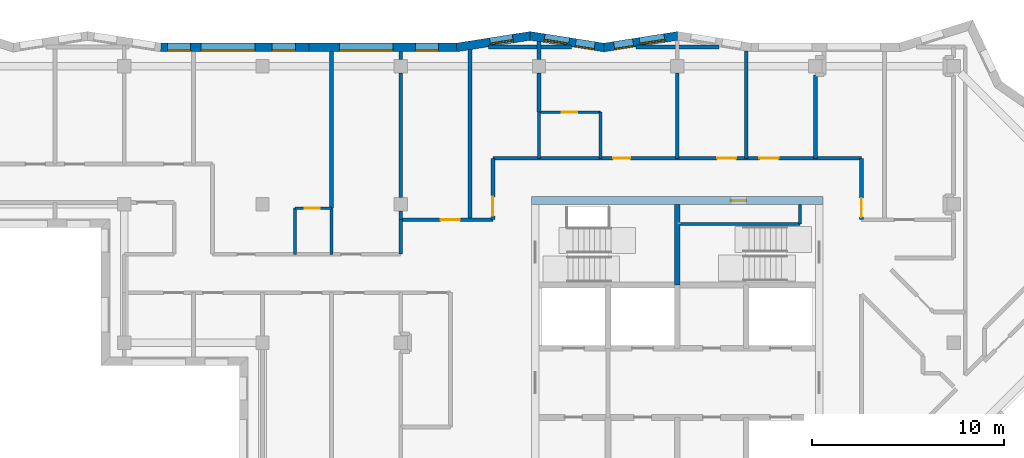
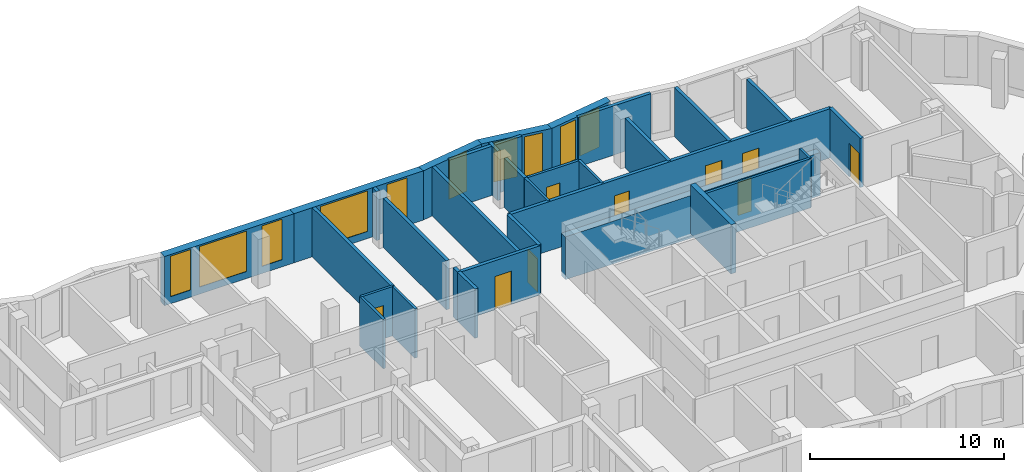
# One storey, part 6 of 12: 32 walls, 10 windows, 9 doors, 19 openings.
"""IFC4 building model written with IfcOpenShell, lengths in metres."""

from ifc_helpers import new_model, si_unit, direction, frame, frame_2d, origin, place, context, subcontext, project, spatial, polyline, rectangle, outline, extrude, material, layer, layer_set, type_object, element, fill, save


model = new_model("IFC4")

# Units and contexts
model_context = context("Model", 3, precision=1e-05, world=origin(), true_north=direction((0.0, 1.0)))
body_context = subcontext(model_context, "Body", "Model", "MODEL_VIEW")
ifc_project = project(units=[si_unit("LENGTHUNIT", "METRE"), si_unit("AREAUNIT", "SQUARE_METRE"), si_unit("VOLUMEUNIT", "CUBIC_METRE"), si_unit("PLANEANGLEUNIT", "RADIAN"), si_unit("MASSUNIT", "GRAM", prefix="KILO")], contexts=[model_context])

# Site, building, storey
site_placement = place(None, origin())
site = spatial("IfcSite", under=ifc_project, at=site_placement, CompositionType="ELEMENT")
building_placement = place(site_placement, origin())
building = spatial("IfcBuilding", under=site, at=building_placement, Name="Windrow Commons", CompositionType="ELEMENT")
storey_placement = place(building_placement, frame((0.0, 0.0, 277.8)))
storey = spatial("IfcBuildingStorey", under=building, at=storey_placement, Name="L76", CompositionType="ELEMENT", Elevation=277.8)

# Wall, openings, windows
ifc_material_1 = material(Name="Brick masonry, red clay brick", Category="masonry")
ifc_layer_1 = layer(ifc_material_1, 0.45)
ifc_layer_set_1 = layer_set([ifc_layer_1], Name="Brick facade wall 450")
wall_type_1 = type_object("IfcWallType", Name="Brick facade wall 450", PredefinedType="SOLIDWALL", material=ifc_layer_set_1)
wall_1_placement = place(storey_placement, frame((64.8244, 73.5752, 0.0), z_axis=(0.0, 0.0, 1.0), x_axis=(-0.9879107269, -0.1550238552, 0.0)))
wall_1 = element("IfcWall", 1, at=wall_1_placement, inside=storey, type_object=wall_type_1, Name="Brick facade wall L76 17", PredefinedType="SOLIDWALL", context=body_context, shape_type="SweptSolid", body=[
    extrude(outline(polyline([(-0.0353, -0.225), (3.8545, -0.225), (3.9251, 0.225), (0.0353, 0.225), (-0.0353, -0.225)])), origin(), (0.0, 0.0, 1.0), 3.1),
])
opening_1_placement = place(wall_1_placement, frame((0.695, 0.0, 0.45)))
opening_1 = element("IfcOpeningElement", 2, at=opening_1_placement, cuts=wall_1, Name="Opening W1Q", PredefinedType="OPENING", context=body_context, shape_type="SweptSolid", body=[
    extrude(rectangle(XDim=1.3, YDim=2.5, at=frame_2d((0.65, 1.25))), frame((0.0, 0.235, 0.0), z_axis=(0.0, -1.0, 0.0), x_axis=(1.0, 0.0, 0.0)), (0.0, 0.0, 1.0), 0.47),
])
opening_2_placement = place(wall_1_placement, frame((2.345, 0.0, 0.45)))
opening_2 = element("IfcOpeningElement", 3, at=opening_2_placement, cuts=wall_1, Name="Opening W1S", PredefinedType="OPENING", context=body_context, shape_type="SweptSolid", body=[
    extrude(rectangle(XDim=1.0, YDim=2.5, at=frame_2d((0.5, 1.25))), frame((0.0, 0.235, 0.0), z_axis=(0.0, -1.0, 0.0), x_axis=(1.0, 0.0, 0.0)), (0.0, 0.0, 1.0), 0.47),
])
ifc_material_2 = material(Name="Clear float glass in anodised aluminium frame", Category="aluminium")
window_type_1 = type_object("IfcWindowType", Name="Window W1Q pair 1300x2500", PartitioningType="SINGLE_PANEL", PredefinedType="WINDOW", material=ifc_material_2)
window_1_placement = place(opening_1_placement, origin())
window_1 = element("IfcWindow", 4, at=window_1_placement, inside=storey, type_object=window_type_1, Name="Window L76 17.1A", OverallHeight=2.5, OverallWidth=1.3, PartitioningType="SINGLE_PANEL", PredefinedType="WINDOW", context=body_context, shape_type="SweptSolid", body=[
    extrude(rectangle(XDim=1.3, YDim=2.5, at=frame_2d((0.65, 1.25))), frame((0.0, 0.135, 0.0), z_axis=(0.0, -1.0, 0.0), x_axis=(1.0, 0.0, 0.0)), (0.0, 0.0, 1.0), 0.06),
])
fill(opening_1, window_1)
ifc_material_3 = material(Name="Clear float glass in anodised aluminium frame", Category="aluminium")
window_type_2 = type_object("IfcWindowType", Name="Window W1S slit 1000x2500", PartitioningType="SINGLE_PANEL", PredefinedType="WINDOW", material=ifc_material_3)
window_2_placement = place(opening_2_placement, origin())
window_2 = element("IfcWindow", 5, at=window_2_placement, inside=storey, type_object=window_type_2, Name="Window L76 17.1B", OverallHeight=2.5, OverallWidth=1.0, PartitioningType="SINGLE_PANEL", PredefinedType="WINDOW", context=body_context, shape_type="SweptSolid", body=[
    extrude(rectangle(XDim=1.0, YDim=2.5, at=frame_2d((0.5, 1.25))), frame((0.0, 0.205, 0.0), z_axis=(0.0, -1.0, 0.0), x_axis=(1.0, 0.0, 0.0)), (0.0, 0.0, 1.0), 0.06),
])
fill(opening_2, window_2)

wall_2_placement = place(storey_placement, frame((60.9817, 72.9722, 0.0), z_axis=(0.0, 0.0, 1.0), x_axis=(-0.9879113447, 0.155019918, 0.0)))
wall_2 = element("IfcWall", 6, at=wall_2_placement, inside=storey, type_object=wall_type_1, Name="Brick facade wall L76 18", PredefinedType="SOLIDWALL", context=body_context, shape_type="SweptSolid", body=[
    extrude(outline(polyline([(0.0353, -0.225), (3.9251, -0.225), (3.8545, 0.225), (-0.0353, 0.225), (0.0353, -0.225)])), origin(), (0.0, 0.0, 1.0), 3.1),
])
opening_3_placement = place(wall_2_placement, frame((0.4869, 0.0, 0.45)))
opening_3 = element("IfcOpeningElement", 7, at=opening_3_placement, cuts=wall_2, Name="Opening W1S", PredefinedType="OPENING", context=body_context, shape_type="SweptSolid", body=[
    extrude(rectangle(XDim=1.0, YDim=2.5, at=frame_2d((0.5, 1.25))), frame((0.0, 0.235, 0.0), z_axis=(0.0, -1.0, 0.0), x_axis=(1.0, 0.0, 0.0)), (0.0, 0.0, 1.0), 0.47),
])
opening_4_placement = place(wall_2_placement, frame((1.8369, 0.0, 0.45)))
opening_4 = element("IfcOpeningElement", 8, at=opening_4_placement, cuts=wall_2, Name="Opening W1Q", PredefinedType="OPENING", context=body_context, shape_type="SweptSolid", body=[
    extrude(rectangle(XDim=1.3, YDim=2.5, at=frame_2d((0.65, 1.25))), frame((0.0, 0.235, 0.0), z_axis=(0.0, -1.0, 0.0), x_axis=(1.0, 0.0, 0.0)), (0.0, 0.0, 1.0), 0.47),
])
window_3_placement = place(opening_4_placement, origin())
window_3 = element("IfcWindow", 9, at=window_3_placement, inside=storey, type_object=window_type_1, Name="Window L76 18.1B", OverallHeight=2.5, OverallWidth=1.3, PartitioningType="SINGLE_PANEL", PredefinedType="WINDOW", context=body_context, shape_type="SweptSolid", body=[
    extrude(rectangle(XDim=1.3, YDim=2.5, at=frame_2d((0.65, 1.25))), frame((0.0, 0.125, 0.0), z_axis=(0.0, -1.0, 0.0), x_axis=(1.0, 0.0, 0.0)), (0.0, 0.0, 1.0), 0.06),
])
fill(opening_4, window_3)
window_4_placement = place(opening_3_placement, origin())
window_4 = element("IfcWindow", 10, at=window_4_placement, inside=storey, type_object=window_type_2, Name="Window L76 18.1A", OverallHeight=2.5, OverallWidth=1.0, PartitioningType="SINGLE_PANEL", PredefinedType="WINDOW", context=body_context, shape_type="SweptSolid", body=[
    extrude(rectangle(XDim=1.0, YDim=2.5, at=frame_2d((0.5, 1.25))), frame((0.0, 0.205, 0.0), z_axis=(0.0, -1.0, 0.0), x_axis=(1.0, 0.0, 0.0)), (0.0, 0.0, 1.0), 0.06),
])
fill(opening_3, window_4)

# Wall, opening, window
wall_3_placement = place(storey_placement, frame((57.1389, 73.5752, 0.0), z_axis=(0.0, 0.0, 1.0), x_axis=(-0.9879128581, -0.1550102733, 0.0)))
wall_3 = element("IfcWall", 11, at=wall_3_placement, inside=storey, type_object=wall_type_1, Name="Brick facade wall L76 19", PredefinedType="SOLIDWALL", context=body_context, shape_type="SweptSolid", body=[
    extrude(outline(polyline([(-0.0353, -0.225), (3.8545, -0.225), (3.8896, 0.225), (0.0353, 0.225), (-0.0353, -0.225)])), origin(), (0.0, 0.0, 1.0), 3.1),
])
opening_5_placement = place(wall_3_placement, frame((0.9063, 0.0, 0.45)))
opening_5 = element("IfcOpeningElement", 12, at=opening_5_placement, cuts=wall_3, Name="Opening W7F", PredefinedType="OPENING", context=body_context, shape_type="SweptSolid", body=[
    extrude(rectangle(XDim=1.2, YDim=2.55, at=frame_2d((0.6, 1.275))), frame((0.0, 0.235, 0.0), z_axis=(0.0, -1.0, 0.0), x_axis=(1.0, 0.0, 0.0)), (0.0, 0.0, 1.0), 0.47),
])
ifc_material_4 = material(Name="Clear float glass in anodised aluminium frame", Category="aluminium")
window_type_3 = type_object("IfcWindowType", Name="Window W7 notch 1200x2550", PartitioningType="SINGLE_PANEL", PredefinedType="WINDOW", material=ifc_material_4)
window_5_placement = place(opening_5_placement, origin())
window_5 = element("IfcWindow", 13, at=window_5_placement, inside=storey, type_object=window_type_3, Name="Window L76 19.1", OverallHeight=2.55, OverallWidth=1.2, PartitioningType="SINGLE_PANEL", PredefinedType="WINDOW", context=body_context, shape_type="SweptSolid", body=[
    extrude(rectangle(XDim=1.2, YDim=2.55, at=frame_2d((0.6, 1.275))), frame((0.0, 0.115, 0.0), z_axis=(0.0, -1.0, 0.0), x_axis=(1.0, 0.0, 0.0)), (0.0, 0.0, 1.0), 0.06),
])
fill(opening_5, window_5)

# Wall, openings, windows
wall_4_placement = place(storey_placement, frame((53.3137, 72.975, 0.0), z_axis=(0.0, 0.0, 1.0), x_axis=(-1.0, 0.0, 0.0)))
wall_4 = element("IfcWall", 14, at=wall_4_placement, inside=storey, type_object=wall_type_1, Name="Brick facade wall L76 20", PredefinedType="SOLIDWALL", context=body_context, shape_type="SweptSolid", body=[
    extrude(outline(polyline([(0.0175, -0.225), (7.703, -0.225), (7.703, 0.225), (-0.0175, 0.225), (0.0175, -0.225)])), origin(), (0.0, 0.0, 1.0), 3.1),
])
opening_6_placement = place(wall_4_placement, frame((3.3137, 0.0, 0.45)))
opening_6 = element("IfcOpeningElement", 15, at=opening_6_placement, cuts=wall_4, Name="Opening W1V", PredefinedType="OPENING", context=body_context, shape_type="SweptSolid", body=[
    extrude(rectangle(XDim=2.8, YDim=2.55, at=frame_2d((1.4, 1.275))), frame((0.0, 0.235, 0.0), z_axis=(0.0, -1.0, 0.0), x_axis=(1.0, 0.0, 0.0)), (0.0, 0.0, 1.0), 0.47),
])
opening_7_placement = place(wall_4_placement, frame((0.9569, 0.0, 0.45)))
opening_7 = element("IfcOpeningElement", 16, at=opening_7_placement, cuts=wall_4, Name="Opening W7F", PredefinedType="OPENING", context=body_context, shape_type="SweptSolid", body=[
    extrude(rectangle(XDim=1.2, YDim=2.55, at=frame_2d((0.6, 1.275))), frame((0.0, 0.235, 0.0), z_axis=(0.0, -1.0, 0.0), x_axis=(1.0, 0.0, 0.0)), (0.0, 0.0, 1.0), 0.47),
])
ifc_material_5 = material(Name="Clear float glass in anodised aluminium frame", Category="aluminium")
window_type_4 = type_object("IfcWindowType", Name="Window W1V bedroom 2800x2550", PartitioningType="SINGLE_PANEL", PredefinedType="WINDOW", material=ifc_material_5)
window_6_placement = place(opening_6_placement, origin())
window_6 = element("IfcWindow", 17, at=window_6_placement, inside=storey, type_object=window_type_4, Name="Window L76 20.1", OverallHeight=2.55, OverallWidth=2.8, PartitioningType="SINGLE_PANEL", PredefinedType="WINDOW", context=body_context, shape_type="SweptSolid", body=[
    extrude(rectangle(XDim=2.8, YDim=2.55, at=frame_2d((1.4, 1.275))), frame((0.0, 0.205, 0.0), z_axis=(0.0, -1.0, 0.0), x_axis=(1.0, 0.0, 0.0)), (0.0, 0.0, 1.0), 0.06),
])
fill(opening_6, window_6)
window_7_placement = place(opening_7_placement, origin())
window_7 = element("IfcWindow", 18, at=window_7_placement, inside=storey, type_object=window_type_3, Name="Window L76 20.2", OverallHeight=2.55, OverallWidth=1.2, PartitioningType="SINGLE_PANEL", PredefinedType="WINDOW", context=body_context, shape_type="SweptSolid", body=[
    extrude(rectangle(XDim=1.2, YDim=2.55, at=frame_2d((0.6, 1.275))), frame((0.0, 0.205, 0.0), z_axis=(0.0, -1.0, 0.0), x_axis=(1.0, 0.0, 0.0)), (0.0, 0.0, 1.0), 0.06),
])
fill(opening_7, window_7)

wall_5_placement = place(storey_placement, frame((45.6107, 72.975, 0.0), z_axis=(0.0, 0.0, 1.0), x_axis=(-1.0, 0.0, 0.0)))
wall_5 = element("IfcWall", 19, at=wall_5_placement, inside=storey, type_object=wall_type_1, Name="Brick facade wall L76 21", PredefinedType="SOLIDWALL", context=body_context, shape_type="SweptSolid", body=[
    extrude(outline(polyline([(0.0, -0.225), (7.6855, -0.225), (7.7206, 0.225), (0.0, 0.225), (0.0, -0.225)])), origin(), (0.0, 0.0, 1.0), 3.1),
])
opening_8_placement = place(wall_5_placement, frame((2.8107, 0.0, 0.45)))
opening_8 = element("IfcOpeningElement", 20, at=opening_8_placement, cuts=wall_5, Name="Opening W1V", PredefinedType="OPENING", context=body_context, shape_type="SweptSolid", body=[
    extrude(rectangle(XDim=2.8, YDim=2.55, at=frame_2d((1.4, 1.275))), frame((0.0, 0.235, 0.0), z_axis=(0.0, -1.0, 0.0), x_axis=(1.0, 0.0, 0.0)), (0.0, 0.0, 1.0), 0.47),
])
opening_9_placement = place(wall_5_placement, frame((0.7054, 0.0, 0.45)))
opening_9 = element("IfcOpeningElement", 21, at=opening_9_placement, cuts=wall_5, Name="Opening W7F", PredefinedType="OPENING", context=body_context, shape_type="SweptSolid", body=[
    extrude(rectangle(XDim=1.2, YDim=2.55, at=frame_2d((0.6, 1.275))), frame((0.0, 0.235, 0.0), z_axis=(0.0, -1.0, 0.0), x_axis=(1.0, 0.0, 0.0)), (0.0, 0.0, 1.0), 0.47),
])
opening_10_placement = place(wall_5_placement, frame((6.1569, 0.0, 0.45)))
opening_10 = element("IfcOpeningElement", 22, at=opening_10_placement, cuts=wall_5, Name="Opening W7F", PredefinedType="OPENING", context=body_context, shape_type="SweptSolid", body=[
    extrude(rectangle(XDim=1.2, YDim=2.55, at=frame_2d((0.6, 1.275))), frame((0.0, 0.235, 0.0), z_axis=(0.0, -1.0, 0.0), x_axis=(1.0, 0.0, 0.0)), (0.0, 0.0, 1.0), 0.47),
])
window_8_placement = place(opening_8_placement, origin())
window_8 = element("IfcWindow", 23, at=window_8_placement, inside=storey, type_object=window_type_4, Name="Window L76 21.1", OverallHeight=2.55, OverallWidth=2.8, PartitioningType="SINGLE_PANEL", PredefinedType="WINDOW", context=body_context, shape_type="SweptSolid", body=[
    extrude(rectangle(XDim=2.8, YDim=2.55, at=frame_2d((1.4, 1.275))), frame((0.0, 0.205, 0.0), z_axis=(0.0, -1.0, 0.0), x_axis=(1.0, 0.0, 0.0)), (0.0, 0.0, 1.0), 0.06),
])
fill(opening_8, window_8)
window_9_placement = place(opening_9_placement, origin())
window_9 = element("IfcWindow", 24, at=window_9_placement, inside=storey, type_object=window_type_3, Name="Window L76 21.2", OverallHeight=2.55, OverallWidth=1.2, PartitioningType="SINGLE_PANEL", PredefinedType="WINDOW", context=body_context, shape_type="SweptSolid", body=[
    extrude(rectangle(XDim=1.2, YDim=2.55, at=frame_2d((0.6, 1.275))), frame((0.0, 0.205, 0.0), z_axis=(0.0, -1.0, 0.0), x_axis=(1.0, 0.0, 0.0)), (0.0, 0.0, 1.0), 0.06),
])
fill(opening_9, window_9)
window_10_placement = place(opening_10_placement, origin())
window_10 = element("IfcWindow", 25, at=window_10_placement, inside=storey, type_object=window_type_3, Name="Window L76 21.3", OverallHeight=2.55, OverallWidth=1.2, PartitioningType="SINGLE_PANEL", PredefinedType="WINDOW", context=body_context, shape_type="SweptSolid", body=[
    extrude(rectangle(XDim=1.2, YDim=2.55, at=frame_2d((0.6, 1.275))), frame((0.0, 0.205, 0.0), z_axis=(0.0, -1.0, 0.0), x_axis=(1.0, 0.0, 0.0)), (0.0, 0.0, 1.0), 0.06),
])
fill(opening_10, window_10)

# Wall, openings, doors
ifc_material_6 = material(Name="Blockwork partition", Category="masonry")
ifc_layer_2 = layer(ifc_material_6, 0.2)
ifc_layer_set_2 = layer_set([ifc_layer_2], Name="IW-CORRIDOR-200")
wall_type_2 = type_object("IfcWallType", Name="IW-CORRIDOR-200", PredefinedType="PARTITIONING", material=ifc_layer_set_2)
wall_6_placement = place(storey_placement, frame((55.2, 67.2, 0.0), z_axis=(0.0, 0.0, 1.0), x_axis=(1.0, 0.0, 0.0)))
wall_6 = element("IfcWall", 26, at=wall_6_placement, inside=storey, type_object=wall_type_2, Name="W-L76-W000", PredefinedType="PARTITIONING", context=body_context, shape_type="SweptSolid", body=[
    extrude(rectangle(XDim=19.2, YDim=0.2, at=frame_2d((9.6, 0.0))), origin(), (0.0, 0.0, 1.0), 3.1),
])
opening_11_placement = place(wall_6_placement, frame((6.2607, 0.0, 0.0)))
opening_11 = element("IfcOpeningElement", 27, at=opening_11_placement, cuts=wall_6, Name="Opening D109F", PredefinedType="OPENING", context=body_context, shape_type="SweptSolid", body=[
    extrude(rectangle(XDim=0.9, YDim=2.1, at=frame_2d((0.45, 1.05))), frame((0.0, 0.11, 0.0), z_axis=(0.0, -1.0, 0.0), x_axis=(1.0, 0.0, 0.0)), (0.0, 0.0, 1.0), 0.22),
])
opening_12_placement = place(wall_6_placement, frame((11.675, 0.0, 0.0)))
opening_12 = element("IfcOpeningElement", 28, at=opening_12_placement, cuts=wall_6, Name="Opening D310F", PredefinedType="OPENING", context=body_context, shape_type="SweptSolid", body=[
    extrude(rectangle(XDim=1.0, YDim=2.1, at=frame_2d((0.5, 1.05))), frame((0.0, 0.11, 0.0), z_axis=(0.0, -1.0, 0.0), x_axis=(1.0, 0.0, 0.0)), (0.0, 0.0, 1.0), 0.22),
])
opening_13_placement = place(wall_6_placement, frame((13.88, 0.0, 0.0)))
opening_13 = element("IfcOpeningElement", 29, at=opening_13_placement, cuts=wall_6, Name="Opening D310F", PredefinedType="OPENING", context=body_context, shape_type="SweptSolid", body=[
    extrude(rectangle(XDim=1.0, YDim=2.1, at=frame_2d((0.5, 1.05))), frame((0.0, 0.11, 0.0), z_axis=(0.0, -1.0, 0.0), x_axis=(1.0, 0.0, 0.0)), (0.0, 0.0, 1.0), 0.22),
])
ifc_material_7 = material(Name="Timber door leaf", Category="wood")
door_type_1 = type_object("IfcDoorType", Name="DT-AMENITY-1000", OperationType="SINGLE_SWING_LEFT", PredefinedType="DOOR", material=ifc_material_7)
door_1_placement = place(opening_12_placement, origin())
door_1 = element("IfcDoor", 30, at=door_1_placement, inside=storey, type_object=door_type_1, Name="D-L76-D011", OperationType="SINGLE_SWING_RIGHT", OverallHeight=2.1, OverallWidth=1.0, PredefinedType="DOOR", context=body_context, shape_type="SweptSolid", body=[
    extrude(rectangle(XDim=1.0, YDim=2.1, at=frame_2d((0.5, 1.05))), frame((0.0, 0.025, 0.0), z_axis=(0.0, -1.0, 0.0), x_axis=(1.0, 0.0, 0.0)), (0.0, 0.0, 1.0), 0.05),
])
fill(opening_12, door_1)
door_2_placement = place(opening_13_placement, origin())
door_2 = element("IfcDoor", 31, at=door_2_placement, inside=storey, type_object=door_type_1, Name="D-L76-D012", OperationType="SINGLE_SWING_LEFT", OverallHeight=2.1, OverallWidth=1.0, PredefinedType="DOOR", context=body_context, shape_type="SweptSolid", body=[
    extrude(rectangle(XDim=1.0, YDim=2.1, at=frame_2d((0.5, 1.05))), frame((0.0, 0.025, 0.0), z_axis=(0.0, -1.0, 0.0), x_axis=(1.0, 0.0, 0.0)), (0.0, 0.0, 1.0), 0.05),
])
fill(opening_13, door_2)
ifc_material_8 = material(Name="Timber door leaf", Category="wood")
door_type_2 = type_object("IfcDoorType", Name="DT-BEDROOM-900", OperationType="SINGLE_SWING_LEFT", PredefinedType="DOOR", material=ifc_material_8)
door_3_placement = place(opening_11_placement, origin())
door_3 = element("IfcDoor", 32, at=door_3_placement, inside=storey, type_object=door_type_2, Name="D-L76-D009", OperationType="SINGLE_SWING_RIGHT", OverallHeight=2.1, OverallWidth=0.9, PredefinedType="DOOR", context=body_context, shape_type="SweptSolid", body=[
    extrude(rectangle(XDim=0.9, YDim=2.1, at=frame_2d((0.45, 1.05))), frame((0.0, 0.025, 0.0), z_axis=(0.0, -1.0, 0.0), x_axis=(1.0, 0.0, 0.0)), (0.0, 0.0, 1.0), 0.05),
])
fill(opening_11, door_3)

# Wall, opening, door
wall_7_placement = place(storey_placement, frame((50.4, 64.0, 0.0), z_axis=(0.0, 0.0, 1.0), x_axis=(1.0, 0.0, 0.0)))
wall_7 = element("IfcWall", 33, at=wall_7_placement, inside=storey, type_object=wall_type_2, Name="W-L76-W032", PredefinedType="PARTITIONING", context=body_context, shape_type="SweptSolid", body=[
    extrude(rectangle(XDim=4.8, YDim=0.2, at=frame_2d((2.4, 0.0))), origin(), (0.0, 0.0, 1.0), 3.1),
])
opening_14_placement = place(wall_7_placement, frame((2.075, 0.0, 0.0)))
opening_14 = element("IfcOpeningElement", 34, at=opening_14_placement, cuts=wall_7, Name="Opening D310F", PredefinedType="OPENING", context=body_context, shape_type="SweptSolid", body=[
    extrude(rectangle(XDim=1.0, YDim=2.1, at=frame_2d((0.5, 1.05))), frame((0.0, 0.11, 0.0), z_axis=(0.0, -1.0, 0.0), x_axis=(1.0, 0.0, 0.0)), (0.0, 0.0, 1.0), 0.22),
])
door_4_placement = place(opening_14_placement, origin())
door_4 = element("IfcDoor", 35, at=door_4_placement, inside=storey, type_object=door_type_1, Name="D-L76-D003", OperationType="SINGLE_SWING_RIGHT", OverallHeight=2.1, OverallWidth=1.0, PredefinedType="DOOR", context=body_context, shape_type="SweptSolid", body=[
    extrude(rectangle(XDim=1.0, YDim=2.1, at=frame_2d((0.5, 1.05))), frame((0.0, 0.025, 0.0), z_axis=(0.0, -1.0, 0.0), x_axis=(1.0, 0.0, 0.0)), (0.0, 0.0, 1.0), 0.05),
])
fill(opening_14, door_4)

wall_8_placement = place(storey_placement, frame((55.2, 64.002, 0.0), z_axis=(0.0, 0.0, 1.0), x_axis=(0.0, 1.0, 0.0)))
wall_8 = element("IfcWall", 36, at=wall_8_placement, inside=storey, type_object=wall_type_2, Name="W-L76-W056", PredefinedType="PARTITIONING", context=body_context, shape_type="SweptSolid", body=[
    extrude(rectangle(XDim=3.198, YDim=0.2, at=frame_2d((1.599, 0.0))), origin(), (0.0, 0.0, 1.0), 3.1),
])
opening_15_placement = place(wall_8_placement, frame((0.1937, 0.0, 0.0)))
opening_15 = element("IfcOpeningElement", 37, at=opening_15_placement, cuts=wall_8, Name="Opening D310F", PredefinedType="OPENING", context=body_context, shape_type="SweptSolid", body=[
    extrude(rectangle(XDim=1.0, YDim=2.1, at=frame_2d((0.5, 1.05))), frame((0.0, 0.11, 0.0), z_axis=(0.0, -1.0, 0.0), x_axis=(1.0, 0.0, 0.0)), (0.0, 0.0, 1.0), 0.22),
])
door_5_placement = place(opening_15_placement, origin())
door_5 = element("IfcDoor", 38, at=door_5_placement, inside=storey, type_object=door_type_1, Name="D-L76-D004", OperationType="SINGLE_SWING_LEFT", OverallHeight=2.1, OverallWidth=1.0, PredefinedType="DOOR", context=body_context, shape_type="SweptSolid", body=[
    extrude(rectangle(XDim=1.0, YDim=2.1, at=frame_2d((0.5, 1.05))), frame((0.0, 0.025, 0.0), z_axis=(0.0, -1.0, 0.0), x_axis=(1.0, 0.0, 0.0)), (0.0, 0.0, 1.0), 0.05),
])
fill(opening_15, door_5)

wall_9_placement = place(storey_placement, frame((74.4, 64.002, 0.0), z_axis=(0.0, 0.0, 1.0), x_axis=(0.0, 1.0, 0.0)))
wall_9 = element("IfcWall", 39, at=wall_9_placement, inside=storey, type_object=wall_type_2, Name="W-L76-W057", PredefinedType="PARTITIONING", context=body_context, shape_type="SweptSolid", body=[
    extrude(rectangle(XDim=3.198, YDim=0.2, at=frame_2d((1.599, 0.0))), origin(), (0.0, 0.0, 1.0), 3.1),
])
opening_16_placement = place(wall_9_placement, frame((0.1273, 0.0, 0.0)))
opening_16 = element("IfcOpeningElement", 40, at=opening_16_placement, cuts=wall_9, Name="Opening D310F", PredefinedType="OPENING", context=body_context, shape_type="SweptSolid", body=[
    extrude(rectangle(XDim=1.0, YDim=2.1, at=frame_2d((0.5, 1.05))), frame((0.0, 0.11, 0.0), z_axis=(0.0, -1.0, 0.0), x_axis=(1.0, 0.0, 0.0)), (0.0, 0.0, 1.0), 0.22),
])
door_6_placement = place(opening_16_placement, origin())
door_6 = element("IfcDoor", 41, at=door_6_placement, inside=storey, type_object=door_type_1, Name="D-L76-D005", OperationType="SINGLE_SWING_RIGHT", OverallHeight=2.1, OverallWidth=1.0, PredefinedType="DOOR", context=body_context, shape_type="SweptSolid", body=[
    extrude(rectangle(XDim=1.0, YDim=2.1, at=frame_2d((0.5, 1.05))), frame((0.0, 0.025, 0.0), z_axis=(0.0, -1.0, 0.0), x_axis=(1.0, 0.0, 0.0)), (0.0, 0.0, 1.0), 0.05),
])
fill(opening_16, door_6)

# Wall
wall_10_placement = place(storey_placement, frame((50.4, 62.202, 0.0), z_axis=(0.0, 0.0, 1.0), x_axis=(0.0, 1.0, 0.0)))
element("IfcWall", 42, at=wall_10_placement, inside=storey, type_object=wall_type_2, Name="W-L76-W095", PredefinedType="PARTITIONING", context=body_context, shape_type="SweptSolid", body=[
    extrude(rectangle(XDim=1.798, YDim=0.2, at=frame_2d((0.899, 0.0))), origin(), (0.0, 0.0, 1.0), 3.1),
])

# Wall, opening, door
ifc_material_9 = material(Name="Blockwork partition", Category="masonry")
ifc_layer_3 = layer(ifc_material_9, 0.15)
ifc_layer_set_3 = layer_set([ifc_layer_3], Name="IW-ENSUITE-150")
wall_type_3 = type_object("IfcWallType", Name="IW-ENSUITE-150", PredefinedType="PARTITIONING", material=ifc_layer_set_3)
wall_11_placement = place(storey_placement, frame((57.6, 69.6, 0.0), z_axis=(0.0, 0.0, 1.0), x_axis=(1.0, 0.0, 0.0)))
wall_11 = element("IfcWall", 43, at=wall_11_placement, inside=storey, type_object=wall_type_3, Name="W-L76-W055", PredefinedType="PARTITIONING", context=body_context, shape_type="SweptSolid", body=[
    extrude(rectangle(XDim=3.2, YDim=0.15, at=frame_2d((1.6, 0.0))), origin(), (0.0, 0.0, 1.0), 3.1),
])
opening_17_placement = place(wall_11_placement, frame((1.1958, 0.0, 0.0)))
opening_17 = element("IfcOpeningElement", 44, at=opening_17_placement, cuts=wall_11, Name="Opening D208N", PredefinedType="OPENING", context=body_context, shape_type="SweptSolid", body=[
    extrude(rectangle(XDim=0.8, YDim=2.1, at=frame_2d((0.4, 1.05))), frame((0.0, 0.085, 0.0), z_axis=(0.0, -1.0, 0.0), x_axis=(1.0, 0.0, 0.0)), (0.0, 0.0, 1.0), 0.17),
])
ifc_material_10 = material(Name="Timber door leaf", Category="wood")
door_type_3 = type_object("IfcDoorType", Name="DT-ENSUITE-800", OperationType="SINGLE_SWING_LEFT", PredefinedType="DOOR", material=ifc_material_10)
door_7_placement = place(opening_17_placement, origin())
door_7 = element("IfcDoor", 45, at=door_7_placement, inside=storey, type_object=door_type_3, Name="D-L76-D010", OperationType="SINGLE_SWING_RIGHT", OverallHeight=2.1, OverallWidth=0.8, PredefinedType="DOOR", context=body_context, shape_type="SweptSolid", body=[
    extrude(rectangle(XDim=0.8, YDim=2.1, at=frame_2d((0.4, 1.05))), frame((0.0, 0.025, 0.0), z_axis=(0.0, -1.0, 0.0), x_axis=(1.0, 0.0, 0.0)), (0.0, 0.0, 1.0), 0.05),
])
fill(opening_17, door_7)

# Walls
for number, where, z_axis, x_axis, name in (
    (46, (44.9, 62.2, 0.0), (0.0, 0.0, 1.0), (0.0, 1.0, 0.0), "W-L76-W072"),
    (47, (46.8, 62.2, 0.0), (0.0, 0.0, 1.0), (0.0, 1.0, 0.0), "W-L76-W073"),
    (48, (57.6, 67.2, 0.0), (0.0, 0.0, 1.0), (0.0, 1.0, 0.0), "W-L76-W074"),
    (49, (60.8, 67.2, 0.0), (0.0, 0.0, 1.0), (0.0, 1.0, 0.0), "W-L76-W075"),
):
    element("IfcWall", number, at=place(storey_placement, frame(where, z_axis=z_axis, x_axis=x_axis)), inside=storey, type_object=wall_type_3, Name=name, PredefinedType="PARTITIONING", context=body_context, shape_type="SweptSolid", body=[
        extrude(rectangle(XDim=2.4, YDim=0.15, at=frame_2d((1.2, 0.0))), origin(), (0.0, 0.0, 1.0), 3.1),
    ])

# Wall, opening, door
wall_12_placement = place(storey_placement, frame((44.9, 64.6, 0.0), z_axis=(0.0, 0.0, 1.0), x_axis=(1.0, 0.0, 0.0)))
wall_12 = element("IfcWall", 50, at=wall_12_placement, inside=storey, type_object=wall_type_3, Name="W-L76-W093", PredefinedType="PARTITIONING", context=body_context, shape_type="SweptSolid", body=[
    extrude(rectangle(XDim=1.9, YDim=0.15, at=frame_2d((0.95, 0.0))), origin(), (0.0, 0.0, 1.0), 3.1),
])
opening_18_placement = place(wall_12_placement, frame((0.4931, 0.0, 0.0)))
opening_18 = element("IfcOpeningElement", 51, at=opening_18_placement, cuts=wall_12, Name="Opening D208N", PredefinedType="OPENING", context=body_context, shape_type="SweptSolid", body=[
    extrude(rectangle(XDim=0.8, YDim=2.1, at=frame_2d((0.4, 1.05))), frame((0.0, 0.085, 0.0), z_axis=(0.0, -1.0, 0.0), x_axis=(1.0, 0.0, 0.0)), (0.0, 0.0, 1.0), 0.17),
])
door_8_placement = place(opening_18_placement, origin())
door_8 = element("IfcDoor", 52, at=door_8_placement, inside=storey, type_object=door_type_3, Name="D-L76-D019", OperationType="SINGLE_SWING_RIGHT", OverallHeight=2.1, OverallWidth=0.8, PredefinedType="DOOR", context=body_context, shape_type="SweptSolid", body=[
    extrude(rectangle(XDim=0.8, YDim=2.1, at=frame_2d((0.4, 1.05))), frame((0.0, 0.025, 0.0), z_axis=(0.0, -1.0, 0.0), x_axis=(1.0, 0.0, 0.0)), (0.0, 0.0, 1.0), 0.05),
])
fill(opening_18, door_8)

# Walls
ifc_material_11 = material(Name="Blockwork partition", Category="masonry")
ifc_layer_4 = layer(ifc_material_11, 0.2)
ifc_layer_set_4 = layer_set([ifc_layer_4], Name="IW-PARTY-200")
wall_type_4 = type_object("IfcWallType", Name="IW-PARTY-200", PredefinedType="PARTITIONING", material=ifc_layer_set_4)
wall_13_placement = place(storey_placement, frame((54.0, 64.0, 0.0), z_axis=(0.0, 0.0, 1.0), x_axis=(0.0, 1.0, 0.0)))
element("IfcWall", 53, at=wall_13_placement, inside=storey, type_object=wall_type_4, Name="W-L76-W009", PredefinedType="PARTITIONING", context=body_context, shape_type="SweptSolid", body=[
    extrude(rectangle(XDim=8.8549, YDim=0.2, at=frame_2d((4.4275, 0.0))), origin(), (0.0, 0.0, 1.0), 3.1),
])
wall_14_placement = place(storey_placement, frame((46.8, 64.6, 0.0), z_axis=(0.0, 0.0, 1.0), x_axis=(0.0, 1.0, 0.0)))
element("IfcWall", 54, at=wall_14_placement, inside=storey, type_object=wall_type_4, Name="W-L76-W016", PredefinedType="PARTITIONING", context=body_context, shape_type="SweptSolid", body=[
    extrude(rectangle(XDim=8.15, YDim=0.2, at=frame_2d((4.075, 0.0))), origin(), (0.0, 0.0, 1.0), 3.1),
])
wall_15_placement = place(storey_placement, frame((50.4, 65.15, 0.0), z_axis=(0.0, 0.0, 1.0), x_axis=(0.0, 1.0, 0.0)))
element("IfcWall", 55, at=wall_15_placement, inside=storey, type_object=wall_type_4, Name="W-L76-W022", PredefinedType="PARTITIONING", context=body_context, shape_type="SweptSolid", body=[
    extrude(rectangle(XDim=6.5, YDim=0.2, at=frame_2d((3.25, 0.0))), origin(), (0.0, 0.0, 1.0), 3.1),
])
wall_16_placement = place(storey_placement, frame((68.4, 67.2, 0.0), z_axis=(0.0, 0.0, 1.0), x_axis=(0.0, 1.0, 0.0)))
element("IfcWall", 56, at=wall_16_placement, inside=storey, type_object=wall_type_4, Name="W-L76-W030", PredefinedType="PARTITIONING", context=body_context, shape_type="SweptSolid", body=[
    extrude(rectangle(XDim=5.5864, YDim=0.2, at=frame_2d((2.7932, 0.0))), origin(), (0.0, 0.0, 1.0), 3.1),
])
wall_17_placement = place(storey_placement, frame((64.8, 67.2, 0.0), z_axis=(0.0, 0.0, 1.0), x_axis=(0.0, 1.0, 0.0)))
element("IfcWall", 57, at=wall_17_placement, inside=storey, type_object=wall_type_4, Name="W-L76-W042", PredefinedType="PARTITIONING", context=body_context, shape_type="SweptSolid", body=[
    extrude(rectangle(XDim=4.45, YDim=0.2, at=frame_2d((2.225, 0.0))), origin(), (0.0, 0.0, 1.0), 3.1),
])
wall_18_placement = place(storey_placement, frame((72.0, 67.2, 0.0), z_axis=(0.0, 0.0, 1.0), x_axis=(0.0, 1.0, 0.0)))
element("IfcWall", 58, at=wall_18_placement, inside=storey, type_object=wall_type_4, Name="W-L76-W045", PredefinedType="PARTITIONING", context=body_context, shape_type="SweptSolid", body=[
    extrude(rectangle(XDim=4.346, YDim=0.2, at=frame_2d((2.173, 0.0))), origin(), (0.0, 0.0, 1.0), 3.1),
])
for number, where, z_axis, x_axis, name in (
    (59, (62.66, 73.0, 0.0), (0.0, 0.0, 1.0), (1.0, 0.0, 0.0), "W-L76-W046"),
    (60, (54.9745, 73.0, 0.0), (0.0, 0.0, 1.0), (1.0, 0.0, 0.0), "W-L76-W047"),
):
    element("IfcWall", number, at=place(storey_placement, frame(where, z_axis=z_axis, x_axis=x_axis)), inside=storey, type_object=wall_type_4, Name=name, PredefinedType="PARTITIONING", context=body_context, shape_type="SweptSolid", body=[
        extrude(rectangle(XDim=4.3289, YDim=0.2, at=frame_2d((2.1644, 0.0))), origin(), (0.0, 0.0, 1.0), 3.1),
    ])
wall_19_placement = place(storey_placement, frame((57.6, 69.6, 0.0), z_axis=(0.0, 0.0, 1.0), x_axis=(0.0, 1.0, 0.0)))
element("IfcWall", 61, at=wall_19_placement, inside=storey, type_object=wall_type_4, Name="W-L76-W083", PredefinedType="PARTITIONING", context=body_context, shape_type="SweptSolid", body=[
    extrude(rectangle(XDim=2.05, YDim=0.2, at=frame_2d((1.025, 0.0))), origin(), (0.0, 0.0, 1.0), 3.1),
])
wall_20_placement = place(storey_placement, frame((57.6, 72.35, 0.0), z_axis=(0.0, 0.0, 1.0), x_axis=(0.0, 1.0, 0.0)))
element("IfcWall", 62, at=wall_20_placement, inside=storey, type_object=wall_type_4, Name="W-L76-W123", PredefinedType="PARTITIONING", context=body_context, shape_type="SweptSolid", body=[
    extrude(rectangle(XDim=0.9251, YDim=0.2, at=frame_2d((0.4626, 0.0))), origin(), (0.0, 0.0, 1.0), 3.1),
])
wall_21_placement = place(storey_placement, frame((50.4, 64.0, 0.0), z_axis=(0.0, 0.0, 1.0), x_axis=(0.0, 1.0, 0.0)))
element("IfcWall", 63, at=wall_21_placement, inside=storey, type_object=wall_type_4, Name="W-L76-W131", PredefinedType="PARTITIONING", context=body_context, shape_type="SweptSolid", body=[
    extrude(rectangle(XDim=0.45, YDim=0.2, at=frame_2d((0.225, 0.0))), origin(), (0.0, 0.0, 1.0), 3.1),
])
wall_22_placement = place(storey_placement, frame((50.4, 72.35, 0.0), z_axis=(0.0, 0.0, 1.0), x_axis=(0.0, 1.0, 0.0)))
element("IfcWall", 64, at=wall_22_placement, inside=storey, type_object=wall_type_4, Name="W-L76-W142", PredefinedType="PARTITIONING", context=body_context, shape_type="SweptSolid", body=[
    extrude(rectangle(XDim=0.4, YDim=0.2, at=frame_2d((0.2, 0.0))), origin(), (0.0, 0.0, 1.0), 3.1),
])

# Wall, opening, door
ifc_material_12 = material(Name="Concrete C40/50", Category="concrete")
ifc_layer_5 = layer(ifc_material_12, 0.4)
ifc_layer_set_5 = layer_set([ifc_layer_5], Name="RC CORE WALL 400 C40/50")
wall_type_5 = type_object("IfcWallType", Name="RC CORE WALL 400 C40/50", PredefinedType="SHEAR", material=ifc_layer_set_5)
wall_23_placement = place(storey_placement, frame((57.2, 65.0, -0.3), z_axis=(0.0, 0.0, 1.0), x_axis=(1.0, 0.0, 0.0)))
wall_23 = element("IfcWall", 65, at=wall_23_placement, inside=storey, type_object=wall_type_5, Name="Core A wall outer-N", PredefinedType="SHEAR", context=body_context, shape_type="SweptSolid", body=[
    extrude(rectangle(XDim=15.2, YDim=0.4, at=frame_2d((7.6, 0.0))), origin(), (0.0, 0.0, 1.0), 2.7),
])
opening_19_placement = place(wall_23_placement, frame((10.4, 0.0, 0.3)))
opening_19 = element("IfcOpeningElement", 66, at=opening_19_placement, cuts=wall_23, Name="Opening D9", PredefinedType="OPENING", context=body_context, shape_type="SweptSolid", body=[
    extrude(rectangle(XDim=0.8, YDim=2.1, at=frame_2d((0.4, 1.05))), frame((0.0, 0.21, 0.0), z_axis=(0.0, -1.0, 0.0), x_axis=(1.0, 0.0, 0.0)), (0.0, 0.0, 1.0), 0.42),
])
ifc_material_13 = material(Name="Steel fire door leaf", Category="steel")
door_type_4 = type_object("IfcDoorType", Name="Riser access door 800", OperationType="SINGLE_SWING_LEFT", PredefinedType="DOOR", material=ifc_material_13)
door_9_placement = place(opening_19_placement, origin())
door_9 = element("IfcDoor", 67, at=door_9_placement, inside=storey, type_object=door_type_4, Name="Riser access door", OperationType="SINGLE_SWING_RIGHT", OverallHeight=2.1, OverallWidth=0.8, PredefinedType="DOOR", context=body_context, shape_type="SweptSolid", body=[
    extrude(rectangle(XDim=0.8, YDim=2.1, at=frame_2d((0.4, 1.05))), frame((0.0, 0.025, 0.0), z_axis=(0.0, -1.0, 0.0), x_axis=(1.0, 0.0, 0.0)), (0.0, 0.0, 1.0), 0.05),
])
fill(opening_19, door_9)

# Walls
ifc_material_14 = material(Name="Concrete C40/50", Category="concrete")
ifc_layer_6 = layer(ifc_material_14, 0.3)
ifc_layer_set_6 = layer_set([ifc_layer_6], Name="RC SHAFT WALL 300 C40/50")
wall_type_6 = type_object("IfcWallType", Name="RC SHAFT WALL 300 C40/50", PredefinedType="SOLIDWALL", material=ifc_layer_set_6)
wall_24_placement = place(storey_placement, frame((64.8, 60.6, 0.0), z_axis=(0.0, 0.0, 1.0), x_axis=(0.0, 1.0, 0.0)))
element("IfcWall", 68, at=wall_24_placement, inside=storey, type_object=wall_type_6, Name="Core A wall stair-mid", PredefinedType="SOLIDWALL", context=body_context, shape_type="SweptSolid", body=[
    extrude(rectangle(XDim=4.2, YDim=0.3, at=frame_2d((2.1, 0.0))), origin(), (0.0, 0.0, 1.0), 3.1),
])
ifc_material_15 = material(Name="Blockwork partition", Category="masonry")
ifc_layer_7 = layer(ifc_material_15, 0.15)
ifc_layer_set_7 = layer_set([ifc_layer_7], Name="Riser partition 150")
wall_type_7 = type_object("IfcWallType", Name="Riser partition 150", PredefinedType="PARTITIONING", material=ifc_layer_set_7)
wall_25_placement = place(storey_placement, frame((64.95, 63.78, 0.0), z_axis=(0.0, 0.0, 1.0), x_axis=(1.0, 0.0, 0.0)))
element("IfcWall", 69, at=wall_25_placement, inside=storey, type_object=wall_type_7, Name="W-core-strip-A-L76", PredefinedType="PARTITIONING", context=body_context, shape_type="SweptSolid", body=[
    extrude(rectangle(XDim=6.25, YDim=0.15, at=frame_2d((3.125, 0.0))), origin(), (0.0, 0.0, 1.0), 3.1),
])
wall_26_placement = place(storey_placement, frame((71.2, 63.78, 0.0), z_axis=(0.0, 0.0, 1.0), x_axis=(0.0, 1.0, 0.0)))
element("IfcWall", 70, at=wall_26_placement, inside=storey, type_object=wall_type_7, Name="W-core-stripx-A-L76-1", PredefinedType="PARTITIONING", context=body_context, shape_type="SweptSolid", body=[
    extrude(rectangle(XDim=1.02, YDim=0.15, at=frame_2d((0.51, 0.0))), origin(), (0.0, 0.0, 1.0), 3.1),
])

save(model, "model.ifc")
